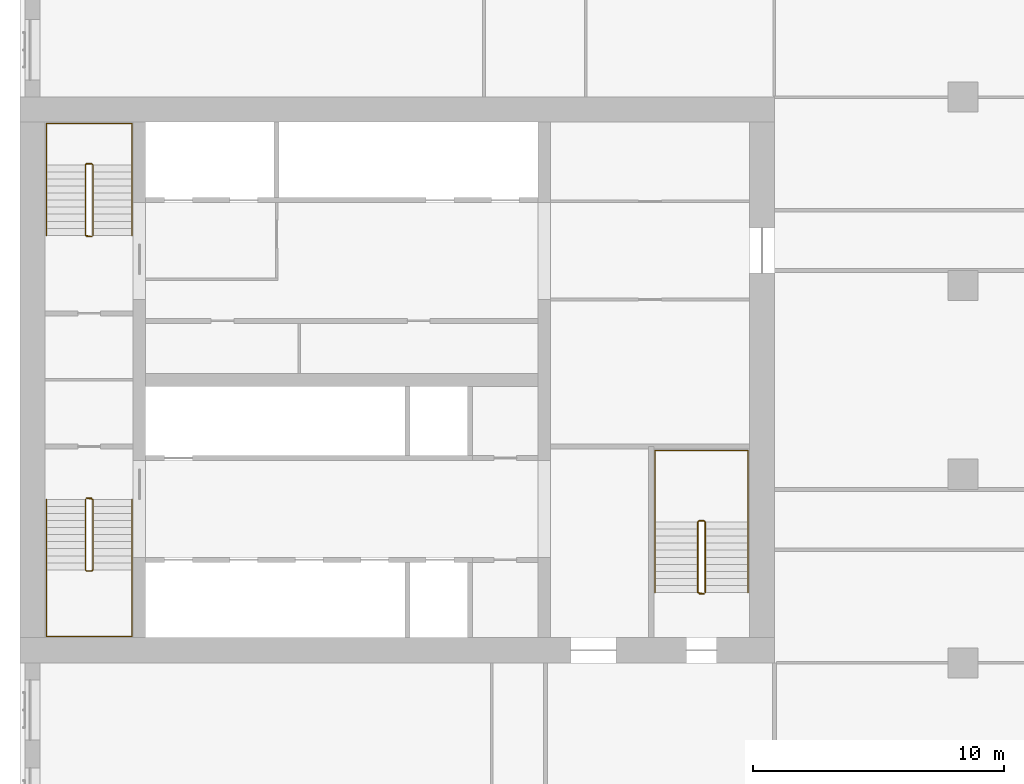
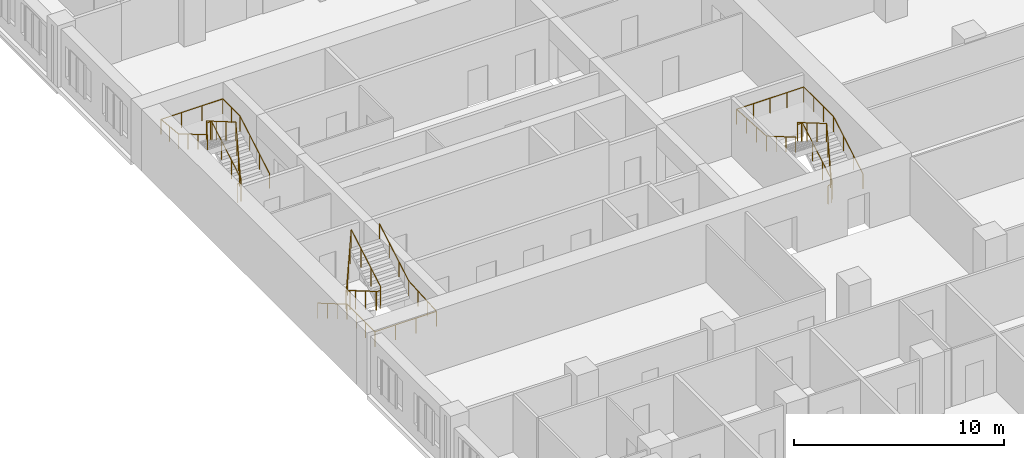
# One storey, part 14 of 14: 6 railings.
"""IFC4 building model written with IfcOpenShell, lengths in metres."""

from ifc_helpers import new_model, si_unit, direction, frame, origin, origin_2d, place, context, subcontext, project, spatial, circle, extrude, material, type_object, element, save


model = new_model("IFC4")

# Units and contexts
model_context = context("Model", 3, precision=1e-05, world=origin(), true_north=direction((0.0, 1.0)))
body_context = subcontext(model_context, "Body", "Model", "MODEL_VIEW")
ifc_project = project(units=[si_unit("LENGTHUNIT", "METRE"), si_unit("AREAUNIT", "SQUARE_METRE"), si_unit("VOLUMEUNIT", "CUBIC_METRE"), si_unit("PLANEANGLEUNIT", "RADIAN"), si_unit("MASSUNIT", "GRAM", prefix="KILO")], contexts=[model_context])

# Site, building, storey
site_placement = place(None, origin())
site = spatial("IfcSite", under=ifc_project, at=site_placement, CompositionType="ELEMENT")
building_placement = place(site_placement, origin())
building = spatial("IfcBuilding", under=site, at=building_placement, Name="Tamorin Gate", CompositionType="ELEMENT")
storey_placement = place(building_placement, frame((0.0, 0.0, 37.60009765625)))
storey = spatial("IfcBuildingStorey", under=building, at=storey_placement, Name="L07", CompositionType="ELEMENT", Elevation=37.60009765625)

# Railings
ifc_material_1 = material(Name="Painted steel balustrade", Category="steel")
railing_type_1 = type_object("IfcRailingType", Name="Stair guard 1100", PredefinedType="GUARDRAIL", material=ifc_material_1)
railing_1_placement = place(storey_placement, frame((32.60009765625, 66.5, 0.16357421875)))
element("IfcRailing", 1, at=railing_1_placement, inside=storey, type_object=railing_type_1, Name="L07 ST1 stair guard 1", PredefinedType="GUARDRAIL", context=body_context, shape_type="SweptSolid", body=[
    extrude(circle(Radius=0.02392578125, at=origin_2d()), frame((0.0, 0.0, 1.076171875), z_axis=(0.0, -0.863393664356, 0.504530851732), x_axis=(1.0, 0.0, 0.0)), (0.0, 0.0, 1.0), 3.2431640625),
    extrude(circle(Radius=0.02392578125, at=origin_2d()), frame((0.0, -2.800048828125, 2.71240234375), z_axis=(0.705375805398, -0.708833529934, 0.0), x_axis=(0.708833529934, 0.705375805398, 0.0)), (0.0, 0.0, 1.0), 0.070556640625),
    extrude(circle(Radius=0.02392578125, at=origin_2d()), frame((0.0498046875, -2.85009765625, 2.71240234375), z_axis=(1.0, 0.0, 0.0), x_axis=(0.0, 1.0, 0.0)), (0.0, 0.0, 1.0), 0.2001953125),
    extrude(circle(Radius=0.02392578125, at=origin_2d()), frame((0.25, -2.85009765625, 2.71240234375), z_axis=(0.279194930351, 0.280563532951, 0.91833234444), x_axis=(-0.708833529934, 0.705375805398, 0.0)), (0.0, 0.0, 1.0), 0.178466796875),
    extrude(circle(Radius=0.02392578125, at=origin_2d()), frame((0.2998046875, -2.800048828125, 2.8759765625), z_axis=(0.0, 0.863393664356, 0.504530851732), x_axis=(-1.0, 0.0, 0.0)), (0.0, 0.0, 1.0), 3.2431640625),
    extrude(circle(Radius=0.02392578125, at=origin_2d()), frame((0.2998046875, 0.0, 4.51220703125), z_axis=(-0.069273741535, 0.013868278335, -0.997501288014), x_axis=(-0.196300278283, -0.98054382908, 0.0)), (0.0, 0.0, 1.0), 3.60888671875),
    extrude(circle(Radius=0.02392578125, at=origin_2d()), frame((0.0498046875, 0.050048828125, 0.91259765625), z_axis=(1.0, 0.0, 0.0), x_axis=(0.0, 1.0, 0.0)), (0.0, 0.0, 1.0), 0.2001953125),
    extrude(circle(Radius=0.02099609375, at=origin_2d()), origin(), (0.0, 0.0, 1.0), 1.052001953125),
    extrude(circle(Radius=0.02099609375, at=origin_2d()), frame((0.0, -0.933349609375, 0.54541015625)), (0.0, 0.0, 1.0), 1.052001953125),
    extrude(circle(Radius=0.02099609375, at=origin_2d()), frame((0.0, -1.86669921875, 1.0908203125)), (0.0, 0.0, 1.0), 1.052001953125),
    extrude(circle(Radius=0.02099609375, at=origin_2d()), frame((0.0, -2.800048828125, 1.63623046875)), (0.0, 0.0, 1.0), 1.052001953125),
    extrude(circle(Radius=0.02099609375, at=origin_2d()), frame((0.0498046875, -2.85009765625, 1.63623046875)), (0.0, 0.0, 1.0), 1.052001953125),
    extrude(circle(Radius=0.02099609375, at=origin_2d()), frame((0.25, -2.85009765625, 1.63623046875)), (0.0, 0.0, 1.0), 1.052001953125),
    extrude(circle(Radius=0.02099609375, at=origin_2d()), frame((0.2998046875, -2.800048828125, 1.800048828125)), (0.0, 0.0, 1.0), 1.052001953125),
    extrude(circle(Radius=0.02099609375, at=origin_2d()), frame((0.2998046875, -1.86669921875, 2.345458984375)), (0.0, 0.0, 1.0), 1.052001953125),
    extrude(circle(Radius=0.02099609375, at=origin_2d()), frame((0.2998046875, -0.933349609375, 2.890869140625)), (0.0, 0.0, 1.0), 1.052001953125),
    extrude(circle(Radius=0.02099609375, at=origin_2d()), frame((0.2998046875, 0.0, 3.436279296875)), (0.0, 0.0, 1.0), 1.052001953125),
    extrude(circle(Radius=0.02099609375, at=origin_2d()), frame((0.2373046875, 0.012451171875, 2.536376953125)), (0.0, 0.0, 1.0), 1.052001953125),
    extrude(circle(Radius=0.02099609375, at=origin_2d()), frame((0.1748046875, 0.02490234375, 1.63623046875)), (0.0, 0.0, 1.0), 1.052001953125),
    extrude(circle(Radius=0.02099609375, at=origin_2d()), frame((0.1123046875, 0.03759765625, 0.736328125)), (0.0, 0.0, 1.0), 1.052001953125),
    extrude(circle(Radius=0.02099609375, at=origin_2d()), frame((0.0498046875, 0.050048828125, -0.16357421875)), (0.0, 0.0, 1.0), 1.052001953125),
    extrude(circle(Radius=0.02099609375, at=origin_2d()), frame((0.25, 0.050048828125, -0.16357421875)), (0.0, 0.0, 1.0), 1.052001953125),
])
railing_2_placement = place(storey_placement, frame((32.89990234375, 77.0, 0.16357421875)))
element("IfcRailing", 2, at=railing_2_placement, inside=storey, type_object=railing_type_1, Name="L07 ST2 stair guard 1", PredefinedType="GUARDRAIL", context=body_context, shape_type="SweptSolid", body=[
    extrude(circle(Radius=0.02392578125, at=origin_2d()), frame((0.0, 0.0, 1.076171875), z_axis=(0.0, 0.863393664356, 0.504530851732), x_axis=(-1.0, 0.0, 0.0)), (0.0, 0.0, 1.0), 3.2431640625),
    extrude(circle(Radius=0.02392578125, at=origin_2d()), frame((0.0, 2.800048828125, 2.71240234375), z_axis=(-0.705375805398, 0.708833529934, 0.0), x_axis=(-0.708833529934, -0.705375805398, 0.0)), (0.0, 0.0, 1.0), 0.070556640625),
    extrude(circle(Radius=0.02392578125, at=origin_2d()), frame((-0.0498046875, 2.85009765625, 2.71240234375), z_axis=(-1.0, 0.0, 0.0), x_axis=(0.0, -1.0, 0.0)), (0.0, 0.0, 1.0), 0.2001953125),
    extrude(circle(Radius=0.02392578125, at=origin_2d()), frame((-0.25, 2.85009765625, 2.71240234375), z_axis=(-0.279194930351, -0.280563532951, 0.91833234444), x_axis=(0.708833529934, -0.705375805398, 0.0)), (0.0, 0.0, 1.0), 0.178466796875),
    extrude(circle(Radius=0.02392578125, at=origin_2d()), frame((-0.2998046875, 2.800048828125, 2.8759765625), z_axis=(0.0, -0.863393664356, 0.504530851732), x_axis=(1.0, 0.0, 0.0)), (0.0, 0.0, 1.0), 3.2431640625),
    extrude(circle(Radius=0.02392578125, at=origin_2d()), frame((-0.2998046875, 0.0, 4.51220703125), z_axis=(0.069273741535, -0.013868278335, -0.997501288014), x_axis=(0.196300278283, 0.98054382908, 0.0)), (0.0, 0.0, 1.0), 3.60888671875),
    extrude(circle(Radius=0.02392578125, at=origin_2d()), frame((-0.0498046875, -0.050048828125, 0.91259765625), z_axis=(-1.0, 0.0, 0.0), x_axis=(0.0, -1.0, 0.0)), (0.0, 0.0, 1.0), 0.2001953125),
    extrude(circle(Radius=0.02099609375, at=origin_2d()), origin(), (0.0, 0.0, 1.0), 1.052001953125),
    extrude(circle(Radius=0.02099609375, at=origin_2d()), frame((0.0, 0.933349609375, 0.54541015625)), (0.0, 0.0, 1.0), 1.052001953125),
    extrude(circle(Radius=0.02099609375, at=origin_2d()), frame((0.0, 1.86669921875, 1.0908203125)), (0.0, 0.0, 1.0), 1.052001953125),
    extrude(circle(Radius=0.02099609375, at=origin_2d()), frame((0.0, 2.800048828125, 1.63623046875)), (0.0, 0.0, 1.0), 1.052001953125),
    extrude(circle(Radius=0.02099609375, at=origin_2d()), frame((-0.0498046875, 2.85009765625, 1.63623046875)), (0.0, 0.0, 1.0), 1.052001953125),
    extrude(circle(Radius=0.02099609375, at=origin_2d()), frame((-0.25, 2.85009765625, 1.63623046875)), (0.0, 0.0, 1.0), 1.052001953125),
    extrude(circle(Radius=0.02099609375, at=origin_2d()), frame((-0.2998046875, 2.800048828125, 1.800048828125)), (0.0, 0.0, 1.0), 1.052001953125),
    extrude(circle(Radius=0.02099609375, at=origin_2d()), frame((-0.2998046875, 1.86669921875, 2.345458984375)), (0.0, 0.0, 1.0), 1.052001953125),
    extrude(circle(Radius=0.02099609375, at=origin_2d()), frame((-0.2998046875, 0.933349609375, 2.890869140625)), (0.0, 0.0, 1.0), 1.052001953125),
    extrude(circle(Radius=0.02099609375, at=origin_2d()), frame((-0.2998046875, 0.0, 3.436279296875)), (0.0, 0.0, 1.0), 1.052001953125),
    extrude(circle(Radius=0.02099609375, at=origin_2d()), frame((-0.2373046875, -0.012451171875, 2.536376953125)), (0.0, 0.0, 1.0), 1.052001953125),
    extrude(circle(Radius=0.02099609375, at=origin_2d()), frame((-0.1748046875, -0.02490234375, 1.63623046875)), (0.0, 0.0, 1.0), 1.052001953125),
    extrude(circle(Radius=0.02099609375, at=origin_2d()), frame((-0.1123046875, -0.03759765625, 0.736328125)), (0.0, 0.0, 1.0), 1.052001953125),
    extrude(circle(Radius=0.02099609375, at=origin_2d()), frame((-0.0498046875, -0.050048828125, -0.16357421875)), (0.0, 0.0, 1.0), 1.052001953125),
    extrude(circle(Radius=0.02099609375, at=origin_2d()), frame((-0.25, -0.050048828125, -0.16357421875)), (0.0, 0.0, 1.0), 1.052001953125),
])
railing_3_placement = place(storey_placement, frame((57.25, 62.800048828125, 0.16357421875)))
element("IfcRailing", 3, at=railing_3_placement, inside=storey, type_object=railing_type_1, Name="L07 ST3 stair guard 1", PredefinedType="GUARDRAIL", context=body_context, shape_type="SweptSolid", body=[
    extrude(circle(Radius=0.02392578125, at=origin_2d()), frame((0.0, 0.0, 1.076171875), z_axis=(0.0, 0.863393664356, 0.504530851732), x_axis=(-1.0, 0.0, 0.0)), (0.0, 0.0, 1.0), 3.2431640625),
    extrude(circle(Radius=0.02392578125, at=origin_2d()), frame((0.0, 2.800048828125, 2.71240234375), z_axis=(-0.708833529934, 0.705375805398, 0.0), x_axis=(-0.705375805398, -0.708833529934, 0.0)), (0.0, 0.0, 1.0), 0.070556640625),
    extrude(circle(Radius=0.02392578125, at=origin_2d()), frame((-0.050048828125, 2.849853515625, 2.71240234375), z_axis=(-1.0, 0.0, 0.0), x_axis=(0.0, -1.0, 0.0)), (0.0, 0.0, 1.0), 0.199951171875),
    extrude(circle(Radius=0.02392578125, at=origin_2d()), frame((-0.25, 2.849853515625, 2.71240234375), z_axis=(-0.280563532951, -0.279194930351, 0.91833234444), x_axis=(0.705375805398, -0.708833529934, 0.0)), (0.0, 0.0, 1.0), 0.178466796875),
    extrude(circle(Radius=0.02392578125, at=origin_2d()), frame((-0.300048828125, 2.800048828125, 2.8759765625), z_axis=(0.0, -0.863393664356, 0.504530851732), x_axis=(1.0, 0.0, 0.0)), (0.0, 0.0, 1.0), 3.2431640625),
    extrude(circle(Radius=0.02392578125, at=origin_2d()), frame((-0.300048828125, 0.0, 4.51220703125), z_axis=(0.069273741535, -0.013868278335, -0.997501288014), x_axis=(0.196300278283, 0.98054382908, 0.0)), (0.0, 0.0, 1.0), 3.60888671875),
    extrude(circle(Radius=0.02392578125, at=origin_2d()), frame((-0.050048828125, -0.050048828125, 0.91259765625), z_axis=(-1.0, 0.0, 0.0), x_axis=(0.0, -1.0, 0.0)), (0.0, 0.0, 1.0), 0.199951171875),
    extrude(circle(Radius=0.02099609375, at=origin_2d()), origin(), (0.0, 0.0, 1.0), 1.052001953125),
    extrude(circle(Radius=0.02099609375, at=origin_2d()), frame((0.0, 0.933349609375, 0.54541015625)), (0.0, 0.0, 1.0), 1.052001953125),
    extrude(circle(Radius=0.02099609375, at=origin_2d()), frame((0.0, 1.86669921875, 1.0908203125)), (0.0, 0.0, 1.0), 1.052001953125),
    extrude(circle(Radius=0.02099609375, at=origin_2d()), frame((0.0, 2.800048828125, 1.63623046875)), (0.0, 0.0, 1.0), 1.052001953125),
    extrude(circle(Radius=0.02099609375, at=origin_2d()), frame((-0.050048828125, 2.849853515625, 1.63623046875)), (0.0, 0.0, 1.0), 1.052001953125),
    extrude(circle(Radius=0.02099609375, at=origin_2d()), frame((-0.25, 2.849853515625, 1.63623046875)), (0.0, 0.0, 1.0), 1.052001953125),
    extrude(circle(Radius=0.02099609375, at=origin_2d()), frame((-0.300048828125, 2.800048828125, 1.800048828125)), (0.0, 0.0, 1.0), 1.052001953125),
    extrude(circle(Radius=0.02099609375, at=origin_2d()), frame((-0.300048828125, 1.86669921875, 2.345458984375)), (0.0, 0.0, 1.0), 1.052001953125),
    extrude(circle(Radius=0.02099609375, at=origin_2d()), frame((-0.300048828125, 0.933349609375, 2.890869140625)), (0.0, 0.0, 1.0), 1.052001953125),
    extrude(circle(Radius=0.02099609375, at=origin_2d()), frame((-0.300048828125, 0.0, 3.436279296875)), (0.0, 0.0, 1.0), 1.052001953125),
    extrude(circle(Radius=0.02099609375, at=origin_2d()), frame((-0.237548828125, -0.012451171875, 2.536376953125)), (0.0, 0.0, 1.0), 1.052001953125),
    extrude(circle(Radius=0.02099609375, at=origin_2d()), frame((-0.175048828125, -0.02490234375, 1.63623046875)), (0.0, 0.0, 1.0), 1.052001953125),
    extrude(circle(Radius=0.02099609375, at=origin_2d()), frame((-0.112548828125, -0.03759765625, 0.736328125)), (0.0, 0.0, 1.0), 1.052001953125),
    extrude(circle(Radius=0.02099609375, at=origin_2d()), frame((-0.050048828125, -0.050048828125, -0.16357421875)), (0.0, 0.0, 1.0), 1.052001953125),
    extrude(circle(Radius=0.02099609375, at=origin_2d()), frame((-0.25, -0.050048828125, -0.16357421875)), (0.0, 0.0, 1.0), 1.052001953125),
])
ifc_material_2 = material(Name="Painted steel handrail", Category="steel")
railing_type_2 = type_object("IfcRailingType", Name="Stair handrail 900", PredefinedType="HANDRAIL", material=ifc_material_2)
railing_4_placement = place(storey_placement, frame((31.050048828125, 66.5, 0.16357421875)))
element("IfcRailing", 4, at=railing_4_placement, inside=storey, type_object=railing_type_2, Name="L07 ST1 stair handrail 1", PredefinedType="HANDRAIL", context=body_context, shape_type="SweptSolid", body=[
    extrude(circle(Radius=0.02392578125, at=origin_2d()), frame((0.0, 0.0, 0.8759765625), z_axis=(0.0, -0.863393664356, 0.504530851732), x_axis=(1.0, 0.0, 0.0)), (0.0, 0.0, 1.0), 3.2431640625),
    extrude(circle(Radius=0.02392578125, at=origin_2d()), frame((0.0, -2.800048828125, 2.51220703125), z_axis=(0.0, -1.0, 0.0), x_axis=(1.0, 0.0, 0.0)), (0.0, 0.0, 1.0), 2.64990234375),
    extrude(circle(Radius=0.02392578125, at=origin_2d()), frame((0.0, -5.449951171875, 2.51220703125), z_axis=(1.0, 0.0, 0.0), x_axis=(0.0, 1.0, 0.0)), (0.0, 0.0, 1.0), 3.39990234375),
    extrude(circle(Radius=0.02392578125, at=origin_2d()), frame((3.39990234375, -5.449951171875, 2.51220703125), z_axis=(0.0, 0.998094571079, 0.061702732375), x_axis=(-1.0, 0.0, 0.0)), (0.0, 0.0, 1.0), 2.655029296875),
    extrude(circle(Radius=0.02392578125, at=origin_2d()), frame((3.39990234375, -2.800048828125, 2.67578125), z_axis=(0.0, 0.863393664356, 0.504530851732), x_axis=(-1.0, 0.0, 0.0)), (0.0, 0.0, 1.0), 3.2431640625),
    extrude(circle(Radius=0.02099609375, at=origin_2d()), origin(), (0.0, 0.0, 1.0), 0.851806640625),
    extrude(circle(Radius=0.02099609375, at=origin_2d()), frame((0.0, -0.933349609375, 0.54541015625)), (0.0, 0.0, 1.0), 0.851806640625),
    extrude(circle(Radius=0.02099609375, at=origin_2d()), frame((0.0, -1.86669921875, 1.0908203125)), (0.0, 0.0, 1.0), 0.851806640625),
    extrude(circle(Radius=0.02099609375, at=origin_2d()), frame((0.0, -2.800048828125, 1.63623046875)), (0.0, 0.0, 1.0), 0.851806640625),
    extrude(circle(Radius=0.02099609375, at=origin_2d()), frame((0.0, -3.683349609375, 1.63623046875)), (0.0, 0.0, 1.0), 0.851806640625),
    extrude(circle(Radius=0.02099609375, at=origin_2d()), frame((0.0, -4.566650390625, 1.63623046875)), (0.0, 0.0, 1.0), 0.851806640625),
    extrude(circle(Radius=0.02099609375, at=origin_2d()), frame((0.0, -5.449951171875, 1.63623046875)), (0.0, 0.0, 1.0), 0.851806640625),
    extrude(circle(Radius=0.02099609375, at=origin_2d()), frame((1.13330078125, -5.449951171875, 1.63623046875)), (0.0, 0.0, 1.0), 0.851806640625),
    extrude(circle(Radius=0.02099609375, at=origin_2d()), frame((2.2666015625, -5.449951171875, 1.63623046875)), (0.0, 0.0, 1.0), 0.851806640625),
    extrude(circle(Radius=0.02099609375, at=origin_2d()), frame((3.39990234375, -5.449951171875, 1.63623046875)), (0.0, 0.0, 1.0), 0.851806640625),
    extrude(circle(Radius=0.02099609375, at=origin_2d()), frame((3.39990234375, -4.566650390625, 1.69091796875)), (0.0, 0.0, 1.0), 0.851806640625),
    extrude(circle(Radius=0.02099609375, at=origin_2d()), frame((3.39990234375, -3.683349609375, 1.745361328125)), (0.0, 0.0, 1.0), 0.851806640625),
    extrude(circle(Radius=0.02099609375, at=origin_2d()), frame((3.39990234375, -2.800048828125, 1.800048828125)), (0.0, 0.0, 1.0), 0.851806640625),
    extrude(circle(Radius=0.02099609375, at=origin_2d()), frame((3.39990234375, -1.86669921875, 2.345458984375)), (0.0, 0.0, 1.0), 0.851806640625),
    extrude(circle(Radius=0.02099609375, at=origin_2d()), frame((3.39990234375, -0.933349609375, 2.890869140625)), (0.0, 0.0, 1.0), 0.851806640625),
    extrude(circle(Radius=0.02099609375, at=origin_2d()), frame((3.39990234375, 0.0, 3.436279296875)), (0.0, 0.0, 1.0), 0.851806640625),
])
railing_5_placement = place(storey_placement, frame((34.449951171875, 77.0, 0.16357421875)))
element("IfcRailing", 5, at=railing_5_placement, inside=storey, type_object=railing_type_2, Name="L07 ST2 stair handrail 1", PredefinedType="HANDRAIL", context=body_context, shape_type="SweptSolid", body=[
    extrude(circle(Radius=0.02392578125, at=origin_2d()), frame((0.0, 0.0, 0.8759765625), z_axis=(0.0, 0.863393664356, 0.504530851732), x_axis=(-1.0, 0.0, 0.0)), (0.0, 0.0, 1.0), 3.2431640625),
    extrude(circle(Radius=0.02392578125, at=origin_2d()), frame((0.0, 2.800048828125, 2.51220703125), z_axis=(0.0, 1.0, 0.0), x_axis=(-1.0, 0.0, 0.0)), (0.0, 0.0, 1.0), 1.64990234375),
    extrude(circle(Radius=0.02392578125, at=origin_2d()), frame((0.0, 4.449951171875, 2.51220703125), z_axis=(-1.0, 0.0, 0.0), x_axis=(0.0, -1.0, 0.0)), (0.0, 0.0, 1.0), 3.39990234375),
    extrude(circle(Radius=0.02392578125, at=origin_2d()), frame((-3.39990234375, 4.449951171875, 2.51220703125), z_axis=(0.0, -0.995106923726, 0.098803898464), x_axis=(1.0, 0.0, 0.0)), (0.0, 0.0, 1.0), 1.657958984375),
    extrude(circle(Radius=0.02392578125, at=origin_2d()), frame((-3.39990234375, 2.800048828125, 2.67578125), z_axis=(0.0, -0.863393664356, 0.504530851732), x_axis=(1.0, 0.0, 0.0)), (0.0, 0.0, 1.0), 3.2431640625),
    extrude(circle(Radius=0.02099609375, at=origin_2d()), origin(), (0.0, 0.0, 1.0), 0.851806640625),
    extrude(circle(Radius=0.02099609375, at=origin_2d()), frame((0.0, 0.933349609375, 0.54541015625)), (0.0, 0.0, 1.0), 0.851806640625),
    extrude(circle(Radius=0.02099609375, at=origin_2d()), frame((0.0, 1.86669921875, 1.0908203125)), (0.0, 0.0, 1.0), 0.851806640625),
    extrude(circle(Radius=0.02099609375, at=origin_2d()), frame((0.0, 2.800048828125, 1.63623046875)), (0.0, 0.0, 1.0), 0.851806640625),
    extrude(circle(Radius=0.02099609375, at=origin_2d()), frame((0.0, 3.625, 1.63623046875)), (0.0, 0.0, 1.0), 0.851806640625),
    extrude(circle(Radius=0.02099609375, at=origin_2d()), frame((0.0, 4.449951171875, 1.63623046875)), (0.0, 0.0, 1.0), 0.851806640625),
    extrude(circle(Radius=0.02099609375, at=origin_2d()), frame((-1.13330078125, 4.449951171875, 1.63623046875)), (0.0, 0.0, 1.0), 0.851806640625),
    extrude(circle(Radius=0.02099609375, at=origin_2d()), frame((-2.2666015625, 4.449951171875, 1.63623046875)), (0.0, 0.0, 1.0), 0.851806640625),
    extrude(circle(Radius=0.02099609375, at=origin_2d()), frame((-3.39990234375, 4.449951171875, 1.63623046875)), (0.0, 0.0, 1.0), 0.851806640625),
    extrude(circle(Radius=0.02099609375, at=origin_2d()), frame((-3.39990234375, 3.625, 1.71826171875)), (0.0, 0.0, 1.0), 0.851806640625),
    extrude(circle(Radius=0.02099609375, at=origin_2d()), frame((-3.39990234375, 2.800048828125, 1.800048828125)), (0.0, 0.0, 1.0), 0.851806640625),
    extrude(circle(Radius=0.02099609375, at=origin_2d()), frame((-3.39990234375, 1.86669921875, 2.345458984375)), (0.0, 0.0, 1.0), 0.851806640625),
    extrude(circle(Radius=0.02099609375, at=origin_2d()), frame((-3.39990234375, 0.933349609375, 2.890869140625)), (0.0, 0.0, 1.0), 0.851806640625),
    extrude(circle(Radius=0.02099609375, at=origin_2d()), frame((-3.39990234375, 0.0, 3.436279296875)), (0.0, 0.0, 1.0), 0.851806640625),
])
railing_6_placement = place(storey_placement, frame((58.949951171875, 62.800048828125, 0.16357421875)))
element("IfcRailing", 6, at=railing_6_placement, inside=storey, type_object=railing_type_2, Name="L07 ST3 stair handrail 1", PredefinedType="HANDRAIL", context=body_context, shape_type="SweptSolid", body=[
    extrude(circle(Radius=0.02392578125, at=origin_2d()), frame((0.0, 0.0, 0.8759765625), z_axis=(0.0, 0.863393664356, 0.504530851732), x_axis=(-1.0, 0.0, 0.0)), (0.0, 0.0, 1.0), 3.2431640625),
    extrude(circle(Radius=0.02392578125, at=origin_2d()), frame((0.0, 2.800048828125, 2.51220703125), z_axis=(0.0, 1.0, 0.0), x_axis=(-1.0, 0.0, 0.0)), (0.0, 0.0, 1.0), 2.849853515625),
    extrude(circle(Radius=0.02392578125, at=origin_2d()), frame((0.0, 5.64990234375, 2.51220703125), z_axis=(-1.0, 0.0, 0.0), x_axis=(0.0, -1.0, 0.0)), (0.0, 0.0, 1.0), 3.699951171875),
    extrude(circle(Radius=0.02392578125, at=origin_2d()), frame((-3.699951171875, 5.64990234375, 2.51220703125), z_axis=(0.0, -0.998351930891, 0.057388344524), x_axis=(1.0, 0.0, 0.0)), (0.0, 0.0, 1.0), 2.8544921875),
    extrude(circle(Radius=0.02392578125, at=origin_2d()), frame((-3.699951171875, 2.800048828125, 2.67578125), z_axis=(0.0, -0.863393664356, 0.504530851732), x_axis=(1.0, 0.0, 0.0)), (0.0, 0.0, 1.0), 3.2431640625),
    extrude(circle(Radius=0.02099609375, at=origin_2d()), origin(), (0.0, 0.0, 1.0), 0.851806640625),
    extrude(circle(Radius=0.02099609375, at=origin_2d()), frame((0.0, 0.933349609375, 0.54541015625)), (0.0, 0.0, 1.0), 0.851806640625),
    extrude(circle(Radius=0.02099609375, at=origin_2d()), frame((0.0, 1.86669921875, 1.0908203125)), (0.0, 0.0, 1.0), 0.851806640625),
    extrude(circle(Radius=0.02099609375, at=origin_2d()), frame((0.0, 2.800048828125, 1.63623046875)), (0.0, 0.0, 1.0), 0.851806640625),
    extrude(circle(Radius=0.02099609375, at=origin_2d()), frame((0.0, 3.75, 1.63623046875)), (0.0, 0.0, 1.0), 0.851806640625),
    extrude(circle(Radius=0.02099609375, at=origin_2d()), frame((0.0, 4.699951171875, 1.63623046875)), (0.0, 0.0, 1.0), 0.851806640625),
    extrude(circle(Radius=0.02099609375, at=origin_2d()), frame((0.0, 5.64990234375, 1.63623046875)), (0.0, 0.0, 1.0), 0.851806640625),
    extrude(circle(Radius=0.02099609375, at=origin_2d()), frame((-0.925048828125, 5.64990234375, 1.63623046875)), (0.0, 0.0, 1.0), 0.851806640625),
    extrude(circle(Radius=0.02099609375, at=origin_2d()), frame((-1.85009765625, 5.64990234375, 1.63623046875)), (0.0, 0.0, 1.0), 0.851806640625),
    extrude(circle(Radius=0.02099609375, at=origin_2d()), frame((-2.77490234375, 5.64990234375, 1.63623046875)), (0.0, 0.0, 1.0), 0.851806640625),
    extrude(circle(Radius=0.02099609375, at=origin_2d()), frame((-3.699951171875, 5.64990234375, 1.63623046875)), (0.0, 0.0, 1.0), 0.851806640625),
    extrude(circle(Radius=0.02099609375, at=origin_2d()), frame((-3.699951171875, 4.699951171875, 1.69091796875)), (0.0, 0.0, 1.0), 0.851806640625),
    extrude(circle(Radius=0.02099609375, at=origin_2d()), frame((-3.699951171875, 3.75, 1.745361328125)), (0.0, 0.0, 1.0), 0.851806640625),
    extrude(circle(Radius=0.02099609375, at=origin_2d()), frame((-3.699951171875, 2.800048828125, 1.800048828125)), (0.0, 0.0, 1.0), 0.851806640625),
    extrude(circle(Radius=0.02099609375, at=origin_2d()), frame((-3.699951171875, 1.86669921875, 2.345458984375)), (0.0, 0.0, 1.0), 0.851806640625),
    extrude(circle(Radius=0.02099609375, at=origin_2d()), frame((-3.699951171875, 0.933349609375, 2.890869140625)), (0.0, 0.0, 1.0), 0.851806640625),
    extrude(circle(Radius=0.02099609375, at=origin_2d()), frame((-3.699951171875, 0.0, 3.436279296875)), (0.0, 0.0, 1.0), 0.851806640625),
])

save(model, "model.ifc")
